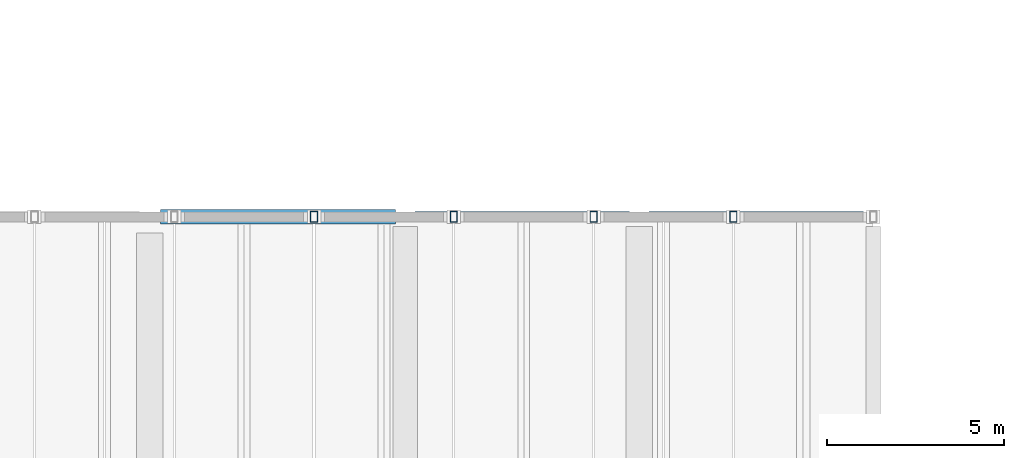
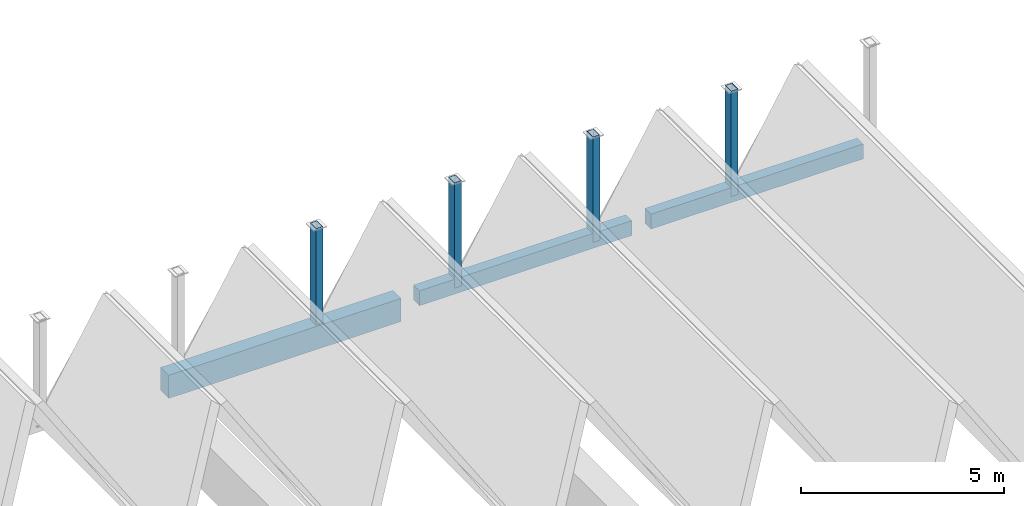
# One storey, part 54 of 124: 4 members, 3 beams.
"""IFC4 building model written with IfcOpenShell, lengths in metres."""

from ifc_helpers import new_model, si_unit, direction, frame, origin, origin_2d, place, context, subcontext, project, spatial, rectangle, hollow_rectangle, extrude, material, material_profile, profile_set, type_object, element, save


model = new_model("IFC4")

# Units and contexts
model_context = context("Model", 3, precision=1e-05, world=origin(), true_north=direction((0.0, 1.0)))
body_context = subcontext(model_context, "Body", "Model", "MODEL_VIEW")
ifc_project = project(units=[si_unit("LENGTHUNIT", "METRE"), si_unit("AREAUNIT", "SQUARE_METRE"), si_unit("VOLUMEUNIT", "CUBIC_METRE"), si_unit("PLANEANGLEUNIT", "RADIAN"), si_unit("MASSUNIT", "GRAM", prefix="KILO")], contexts=[model_context])

# Site, building, storey
site_placement = place(None, origin())
site = spatial("IfcSite", under=ifc_project, at=site_placement, CompositionType="ELEMENT")
building_placement = place(site_placement, origin())
building = spatial("IfcBuilding", under=site, at=building_placement, Name="Kalluvel Institute of Natural Sciences", CompositionType="ELEMENT")
storey_placement = place(building_placement, frame((0.0, 0.0, 9.89990234375)))
storey = spatial("IfcBuildingStorey", under=building, at=storey_placement, Name="L02", CompositionType="ELEMENT", Elevation=9.89990234375)

# Members
ifc_material_1 = material(Name="Steel E350 Grade 350", Category="steel")
ifc_material_profile_1 = material_profile(ifc_material_1, hollow_rectangle(XDim=0.199951171875, YDim=0.300048828125, WallThickness=0.011962890625, at=origin_2d()), Name="RHS 300x200x12")
ifc_profile_set_1 = profile_set([ifc_material_profile_1], Name="Steel E350 Grade 350")
member_type = type_object("IfcMemberType", Name="MB-ARCH-RHS300", PredefinedType="CHORD", material=ifc_profile_set_1)
for number, where, z_axis, x_axis, name in (
    (1, (126.628662109375, 35.60009765625, 0.650146484375), (0.0, 0.0, 1.0), (1.0, 0.0, 0.0), "Lecture theatre folded-plate valley mullion post 10"),
    (2, (130.5712890625, 35.60009765625, 0.650146484375), (0.0, 0.0, 1.0), (1.0, 0.0, 0.0), "Lecture theatre folded-plate valley mullion post 11"),
    (3, (134.514404296875, 35.60009765625, 0.650146484375), (0.0, 0.0, 1.0), (1.0, 0.0, 0.0), "Lecture theatre folded-plate valley mullion post 12"),
    (4, (138.45703125, 35.60009765625, 0.650146484375), (0.0, 0.0, 1.0), (1.0, 0.0, 0.0), "Lecture theatre folded-plate valley mullion post 13"),
):
    element("IfcMember", number, at=place(storey_placement, frame(where, z_axis=z_axis, x_axis=x_axis)), inside=storey, type_object=member_type, Name=name, PredefinedType="CHORD", context=body_context, shape_type="SweptSolid", body=[
        extrude(hollow_rectangle(XDim=0.199951171875, YDim=0.300048828125, WallThickness=0.011962890625, at=origin_2d()), origin(), (0.0, 0.0, 1.0), 3.169921875),
    ])

# Beams
ifc_material_2 = material(Name="Concrete M40", Category="concrete")
ifc_material_profile_2 = material_profile(ifc_material_2, rectangle(XDim=0.300048828125, YDim=0.449951171875, at=origin_2d()), Name="RCB 300x450")
ifc_profile_set_2 = profile_set([ifc_material_profile_2], Name="Concrete M40")
beam_type_1 = type_object("IfcBeamType", Name="SP-RC300x450", PredefinedType="SPANDREL", material=ifc_profile_set_2)
beam_1_placement = place(storey_placement, frame((129.47509765625, 35.60009765625, 0.695068359375), z_axis=(1.0, 0.0, 0.0), x_axis=(0.0, 1.0, 0.0)))
element("IfcBeam", 5, at=beam_1_placement, inside=storey, type_object=beam_type_1, Name="L02 girder GIR-L02-EW-X1292-Y356", PredefinedType="SPANDREL", context=body_context, shape_type="SweptSolid", body=[
    extrude(rectangle(XDim=0.300048828125, YDim=0.449951171875, at=origin_2d()), origin(), (0.0, 0.0, 1.0), 6.0498046875),
])
beam_2_placement = place(storey_placement, frame((136.074951171875, 35.60009765625, 0.695068359375), z_axis=(1.0, 0.0, 0.0), x_axis=(0.0, 1.0, 0.0)))
element("IfcBeam", 6, at=beam_2_placement, inside=storey, type_object=beam_type_1, Name="L02 girder GIR-L02-EW-X1358-Y356", PredefinedType="SPANDREL", context=body_context, shape_type="SweptSolid", body=[
    extrude(rectangle(XDim=0.300048828125, YDim=0.449951171875, at=origin_2d()), origin(), (0.0, 0.0, 1.0), 6.050048828125),
])
ifc_material_profile_3 = material_profile(ifc_material_2, rectangle(XDim=0.39990234375, YDim=0.699951171875, at=origin_2d()), Name="RCB 400x700")
ifc_profile_set_3 = profile_set([ifc_material_profile_3], Name="Concrete M40")
beam_type_2 = type_object("IfcBeamType", Name="SP-RC400x700", PredefinedType="SPANDREL", material=ifc_profile_set_3)
beam_3_placement = place(storey_placement, frame((122.300048828125, 35.60009765625, 0.570068359375), z_axis=(1.0, 0.0, 0.0), x_axis=(0.0, 1.0, 0.0)))
element("IfcBeam", 7, at=beam_3_placement, inside=storey, type_object=beam_type_2, Name="L02 girder GIR-L02-EW-X1220-Y356", PredefinedType="SPANDREL", context=body_context, shape_type="SweptSolid", body=[
    extrude(rectangle(XDim=0.39990234375, YDim=0.699951171875, at=origin_2d()), origin(), (0.0, 0.0, 1.0), 6.625),
])

save(model, "model.ifc")
